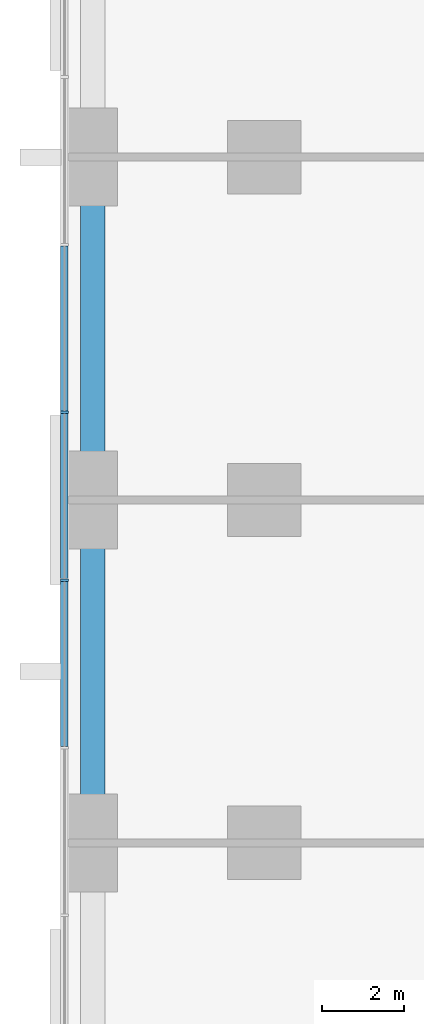
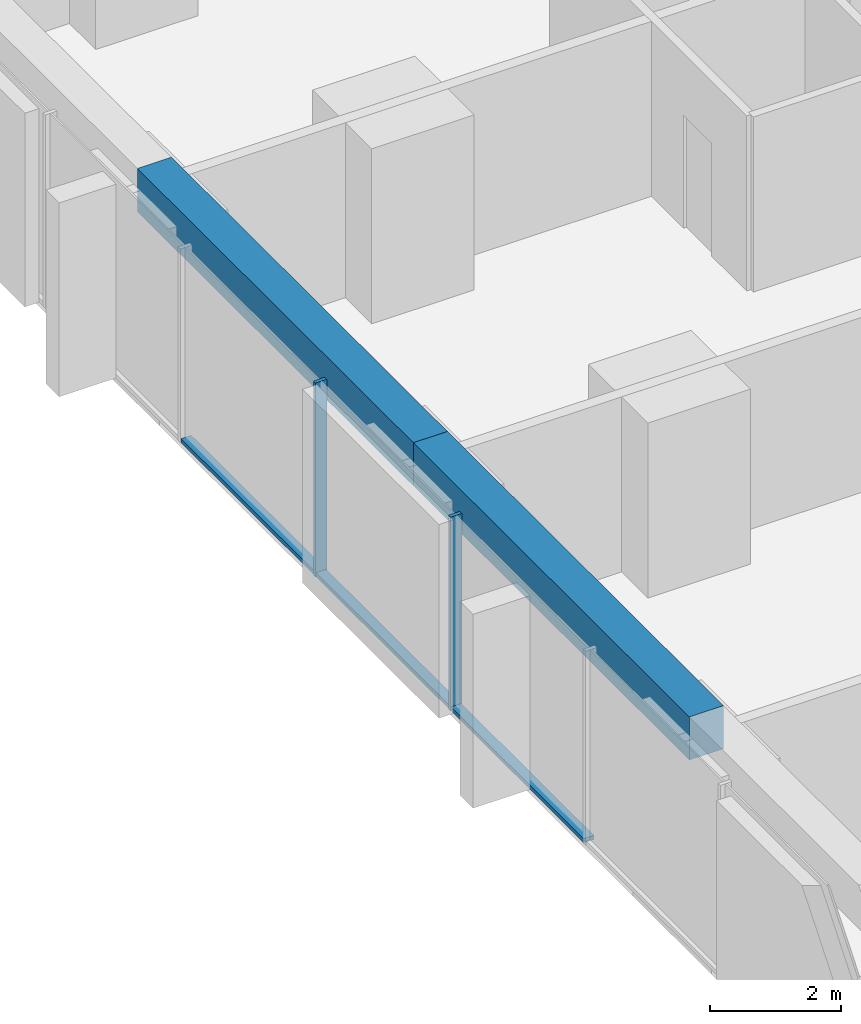
# One storey, part 3 of 17: 5 members, 2 beams, 1 element without a shape of its own.
"""IFC4 building model written with IfcOpenShell, lengths in metres."""

from ifc_helpers import new_model, si_unit, direction, frame, origin, origin_2d, place, context, subcontext, project, spatial, rectangle, extrude, material, material_profile, profile_set, type_object, element, aggregate, save


model = new_model("IFC4")

# Units and contexts
model_context = context("Model", 3, precision=1e-05, world=origin(), true_north=direction((0.0, 1.0)))
body_context = subcontext(model_context, "Body", "Model", "MODEL_VIEW")
ifc_project = project(units=[si_unit("LENGTHUNIT", "METRE"), si_unit("AREAUNIT", "SQUARE_METRE"), si_unit("VOLUMEUNIT", "CUBIC_METRE"), si_unit("PLANEANGLEUNIT", "RADIAN"), si_unit("MASSUNIT", "GRAM", prefix="KILO")], contexts=[model_context])

# Site, building, storey
site_placement = place(None, origin())
site = spatial("IfcSite", under=ifc_project, at=site_placement, CompositionType="ELEMENT")
building_placement = place(site_placement, origin())
building = spatial("IfcBuilding", under=site, at=building_placement, Name="Dunama Terrace Hotel", CompositionType="ELEMENT")
storey_placement = place(building_placement, frame((0.0, 0.0, 63.0)))
storey = spatial("IfcBuildingStorey", under=building, at=storey_placement, Name="L15", CompositionType="ELEMENT", Elevation=63.0)

# Curtain wall, members
ifc_material_1 = material(Name="Aluminium curtain wall system", Category="aluminium")
curtain_wall_type = type_object("IfcCurtainWallType", Name="Unitised fritted glass wall CW-A", PredefinedType="NOTDEFINED", material=ifc_material_1)
curtain_wall_placement = place(storey_placement, origin())
curtain_wall = element("IfcCurtainWall", 1, at=curtain_wall_placement, inside=storey, type_object=curtain_wall_type, Name="Unitised fritted glass wall CW-A L15", PredefinedType="NOTDEFINED")
ifc_material_2 = material(Name="Aluminium mullion", Category="aluminium")
ifc_material_profile_1 = material_profile(ifc_material_2, rectangle(XDim=0.06494140625, YDim=0.199951171875, at=origin_2d()), Name="CWA MULLION 65X200")
ifc_profile_set_1 = profile_set([ifc_material_profile_1], Name="Aluminium mullion")
member_type_1 = type_object("IfcMemberType", Name="CWA mullion 65x200", PredefinedType="MULLION", material=ifc_profile_set_1)
member_1_placement = place(storey_placement, frame((-0.10009765625, 27.345947265625, 0.0), z_axis=(0.0, 0.0, 1.0), x_axis=(0.0, -1.0, 0.0)))
member_1 = element("IfcMember", 2, at=member_1_placement, type_object=member_type_1, Name="CWA mullion", PredefinedType="MULLION", context=body_context, shape_type="SweptSolid", body=[
    extrude(rectangle(XDim=0.06494140625, YDim=0.199951171875, at=origin_2d()), origin(), (0.0, 0.0, 1.0), 3.60009765625),
])
member_2_placement = place(storey_placement, frame((-0.10009765625, 23.238037109375, 0.0), z_axis=(0.0, 0.0, 1.0), x_axis=(0.0, -1.0, 0.0)))
member_2 = element("IfcMember", 3, at=member_2_placement, type_object=member_type_1, Name="CWA mullion", PredefinedType="MULLION", context=body_context, shape_type="SweptSolid", body=[
    extrude(rectangle(XDim=0.06494140625, YDim=0.199951171875, at=origin_2d()), origin(), (0.0, 0.0, 1.0), 3.60009765625),
])
ifc_material_3 = material(Name="Aluminium transom", Category="aluminium")
ifc_material_profile_2 = material_profile(ifc_material_3, rectangle(XDim=0.179931640625, YDim=0.074951171875, at=origin_2d()), Name="CWA TRANSOM 180X75")
ifc_profile_set_2 = profile_set([ifc_material_profile_2], Name="Aluminium transom")
member_type_2 = type_object("IfcMemberType", Name="CWA transom 180x75", PredefinedType="USERDEFINED", material=ifc_profile_set_2)
member_3_placement = place(storey_placement, frame((-0.10009765625, 31.4208984375, 0.03759765625), z_axis=(0.0, -1.0, 0.0), x_axis=(1.0, 0.0, 0.0)))
member_3 = element("IfcMember", 4, at=member_3_placement, type_object=member_type_2, Name="CWA transom", ObjectType="TRANSOM", PredefinedType="USERDEFINED", context=body_context, shape_type="SweptSolid", body=[
    extrude(rectangle(XDim=0.179931640625, YDim=0.074951171875, at=origin_2d()), origin(), (0.0, 0.0, 1.0), 4.0419921875),
])
member_4_placement = place(storey_placement, frame((-0.10009765625, 27.31396484375, 0.03759765625), z_axis=(0.0, -1.0, 0.0), x_axis=(1.0, 0.0, 0.0)))
member_4 = element("IfcMember", 5, at=member_4_placement, type_object=member_type_2, Name="CWA transom", ObjectType="TRANSOM", PredefinedType="USERDEFINED", context=body_context, shape_type="SweptSolid", body=[
    extrude(rectangle(XDim=0.179931640625, YDim=0.074951171875, at=origin_2d()), origin(), (0.0, 0.0, 1.0), 4.04296875),
])
member_5_placement = place(storey_placement, frame((-0.10009765625, 23.2060546875, 0.03759765625), z_axis=(0.0, -1.0, 0.0), x_axis=(1.0, 0.0, 0.0)))
member_5 = element("IfcMember", 6, at=member_5_placement, type_object=member_type_2, Name="CWA transom", ObjectType="TRANSOM", PredefinedType="USERDEFINED", context=body_context, shape_type="SweptSolid", body=[
    extrude(rectangle(XDim=0.179931640625, YDim=0.074951171875, at=origin_2d()), origin(), (0.0, 0.0, 1.0), 4.04296875),
])
aggregate(curtain_wall, [member_1, member_2, member_3, member_4, member_5])

# Beams
ifc_material_4 = material(Name="Concrete C40/50", Category="concrete")
ifc_material_profile_3 = material_profile(ifc_material_4, rectangle(XDim=0.60009765625, YDim=0.800048828125, at=origin_2d()), Name="RC 600x800")
ifc_profile_set_3 = profile_set([ifc_material_profile_3], Name="Concrete C40/50")
beam_type = type_object("IfcBeamType", Name="Edge beam RC 600x800", PredefinedType="SPANDREL", material=ifc_profile_set_3)
beam_1_placement = place(storey_placement, frame((0.60009765625, 16.800048828125, 3.199951171875), z_axis=(0.0, 1.0, 0.0), x_axis=(-1.0, 0.0, 0.0)))
element("IfcBeam", 7, at=beam_1_placement, inside=storey, type_object=beam_type, Name="Edge beam under L16", PredefinedType="SPANDREL", context=body_context, shape_type="SweptSolid", body=[
    extrude(rectangle(XDim=0.60009765625, YDim=0.800048828125, at=origin_2d()), origin(), (0.0, 0.0, 1.0), 8.39990234375),
])
beam_2_placement = place(storey_placement, frame((0.60009765625, 25.199951171875, 3.199951171875), z_axis=(0.0, 1.0, 0.0), x_axis=(-1.0, 0.0, 0.0)))
element("IfcBeam", 8, at=beam_2_placement, inside=storey, type_object=beam_type, Name="Edge beam under L16", PredefinedType="SPANDREL", context=body_context, shape_type="SweptSolid", body=[
    extrude(rectangle(XDim=0.60009765625, YDim=0.800048828125, at=origin_2d()), origin(), (0.0, 0.0, 1.0), 8.400146484375),
])

save(model, "model.ifc")
